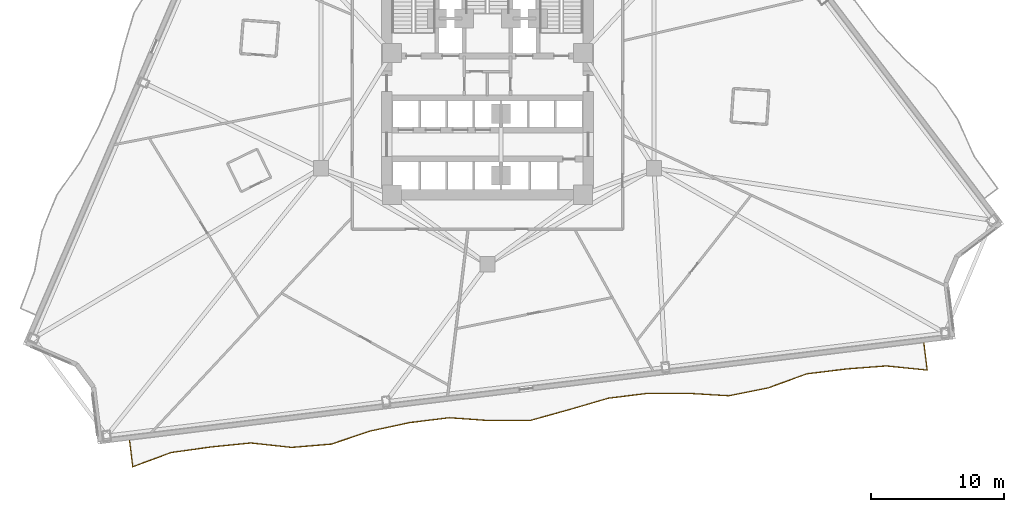
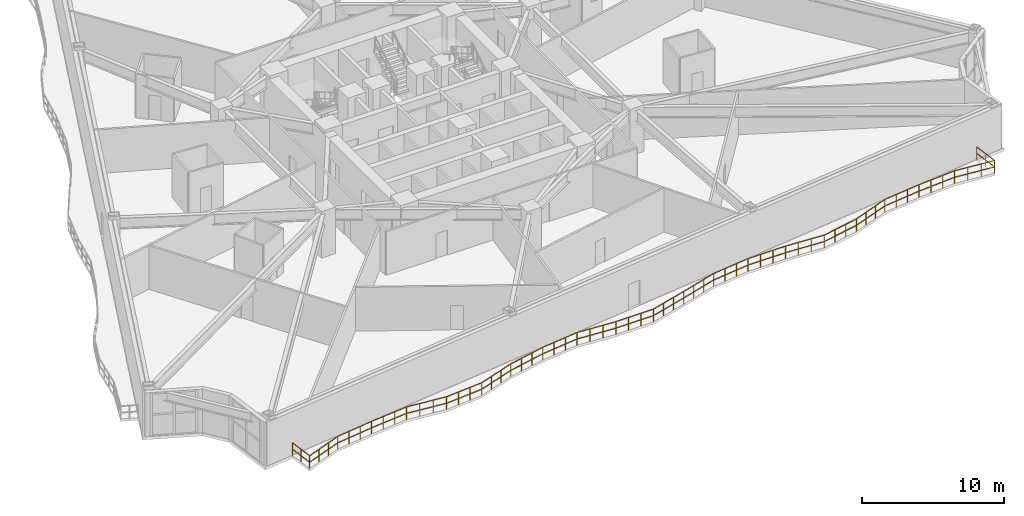
# One storey, part 13 of 17: 1 railing.
"""IFC4 building model written with IfcOpenShell, lengths in metres."""

from ifc_helpers import new_model, si_unit, direction, frame, origin, origin_2d, place, context, subcontext, project, spatial, rectangle, extrude, material, type_object, element, save


model = new_model("IFC4")

# Units and contexts
model_context = context("Model", 3, precision=1e-05, world=origin(), true_north=direction((0.0, 1.0)))
body_context = subcontext(model_context, "Body", "Model", "MODEL_VIEW")
ifc_project = project(units=[si_unit("LENGTHUNIT", "METRE"), si_unit("AREAUNIT", "SQUARE_METRE"), si_unit("VOLUMEUNIT", "CUBIC_METRE"), si_unit("PLANEANGLEUNIT", "RADIAN"), si_unit("MASSUNIT", "GRAM", prefix="KILO")], contexts=[model_context])

# Site, building, storey
site_placement = place(None, origin())
site = spatial("IfcSite", under=ifc_project, at=site_placement, CompositionType="ELEMENT")
building_placement = place(site_placement, origin())
building = spatial("IfcBuilding", under=site, at=building_placement, Name="Apsidion Concourse Tower", CompositionType="ELEMENT")
storey_placement = place(building_placement, frame((0.0, 0.0, 75.0)))
storey = spatial("IfcBuildingStorey", under=building, at=storey_placement, Name="L16", CompositionType="ELEMENT", Elevation=75.0)

# Railing
ifc_material = material(Name="Brushed stainless steel 316", Category="steel")
railing_type = type_object("IfcRailingType", Name="RL-BAL-1120", PredefinedType="BALUSTRADE", material=ifc_material)
railing_placement = place(storey_placement, frame((32.931640625, -20.427734375, 0.0)))
element("IfcRailing", 1, at=railing_placement, inside=storey, type_object=railing_type, Name="L16 Face 2 Rippling Balcony Balustrade", PredefinedType="BALUSTRADE", context=body_context, shape_type="SweptSolid", body=[
    extrude(rectangle(XDim=0.048095703125, YDim=0.048095703125, at=origin_2d()), frame((0.0, 0.0, 1.09619140625), z_axis=(0.121905537445, -0.992541706902, 0.0), x_axis=(0.992541706902, 0.121905537445, 0.0)), (0.0, 0.0, 1.0), 2.07470703125),
    extrude(rectangle(XDim=0.048095703125, YDim=0.048095703125, at=origin_2d()), frame((0.0, 0.0, 0.5361328125), z_axis=(0.121905537445, -0.992541706902, 0.0), x_axis=(0.992541706902, 0.121905537445, 0.0)), (0.0, 0.0, 1.0), 2.07470703125),
    extrude(rectangle(XDim=0.048095703125, YDim=0.048095703125, at=origin_2d()), frame((0.2529296875, -2.059326171875, 1.09619140625), z_axis=(-0.994972964621, 0.100143894838, 0.0), x_axis=(-0.100143894838, -0.994972964621, 0.0)), (0.0, 0.0, 1.0), 3.09619140625),
    extrude(rectangle(XDim=0.048095703125, YDim=0.048095703125, at=origin_2d()), frame((0.2529296875, -2.059326171875, 0.5361328125), z_axis=(-0.994972964621, 0.100143894838, 0.0), x_axis=(-0.100143894838, -0.994972964621, 0.0)), (0.0, 0.0, 1.0), 3.09619140625),
    extrude(rectangle(XDim=0.048095703125, YDim=0.048095703125, at=origin_2d()), frame((-2.82763671875, -1.749267578125, 1.09619140625), z_axis=(-0.997169264057, -0.075189486097, 0.0), x_axis=(0.075189486097, -0.997169264057, 0.0)), (0.0, 0.0, 1.0), 3.02294921875),
    extrude(rectangle(XDim=0.048095703125, YDim=0.048095703125, at=origin_2d()), frame((-2.82763671875, -1.749267578125, 0.5361328125), z_axis=(-0.997169264057, -0.075189486097, 0.0), x_axis=(0.075189486097, -0.997169264057, 0.0)), (0.0, 0.0, 1.0), 3.02294921875),
    extrude(rectangle(XDim=0.048095703125, YDim=0.048095703125, at=origin_2d()), frame((-5.842041015625, -1.9765625, 1.09619140625), z_axis=(-0.992539336111, -0.121924838616, 0.0), x_axis=(0.121924838616, -0.992539336111, 0.0)), (0.0, 0.0, 1.0), 3.01953125),
    extrude(rectangle(XDim=0.048095703125, YDim=0.048095703125, at=origin_2d()), frame((-5.842041015625, -1.9765625, 0.5361328125), z_axis=(-0.992539336111, -0.121924838616, 0.0), x_axis=(0.121924838616, -0.992539336111, 0.0)), (0.0, 0.0, 1.0), 3.01953125),
    extrude(rectangle(XDim=0.048095703125, YDim=0.048095703125, at=origin_2d()), frame((-8.839111328125, -2.3447265625, 1.09619140625), z_axis=(-0.939441065945, -0.34271049534, 0.0), x_axis=(0.34271049534, -0.939441065945, 0.0)), (0.0, 0.0, 1.0), 3.099609375),
    extrude(rectangle(XDim=0.048095703125, YDim=0.048095703125, at=origin_2d()), frame((-8.839111328125, -2.3447265625, 0.5361328125), z_axis=(-0.939441065945, -0.34271049534, 0.0), x_axis=(0.34271049534, -0.939441065945, 0.0)), (0.0, 0.0, 1.0), 3.099609375),
    extrude(rectangle(XDim=0.048095703125, YDim=0.048095703125, at=origin_2d()), frame((-11.7509765625, -3.406982421875, 1.09619140625), z_axis=(-0.980701424156, -0.195511423346, 0.0), x_axis=(0.195511423346, -0.980701424156, 0.0)), (0.0, 0.0, 1.0), 3.028076171875),
    extrude(rectangle(XDim=0.048095703125, YDim=0.048095703125, at=origin_2d()), frame((-11.7509765625, -3.406982421875, 0.5361328125), z_axis=(-0.980701424156, -0.195511423346, 0.0), x_axis=(0.195511423346, -0.980701424156, 0.0)), (0.0, 0.0, 1.0), 3.028076171875),
    extrude(rectangle(XDim=0.048095703125, YDim=0.048095703125, at=origin_2d()), frame((-14.720703125, -3.9990234375, 1.09619140625), z_axis=(-0.998224662797, 0.059561082804, 0.0), x_axis=(-0.059561082804, -0.998224662797, 0.0)), (0.0, 0.0, 1.0), 3.070068359375),
    extrude(rectangle(XDim=0.048095703125, YDim=0.048095703125, at=origin_2d()), frame((-14.720703125, -3.9990234375, 0.5361328125), z_axis=(-0.998224662797, 0.059561082804, 0.0), x_axis=(-0.059561082804, -0.998224662797, 0.0)), (0.0, 0.0, 1.0), 3.070068359375),
    extrude(rectangle(XDim=0.048095703125, YDim=0.048095703125, at=origin_2d()), frame((-17.785400390625, -3.816162109375, 1.09619140625), z_axis=(-0.99999998712, -0.00016050076, 0.0), x_axis=(0.00016050076, -0.99999998712, 0.0)), (0.0, 0.0, 1.0), 3.042236328125),
    extrude(rectangle(XDim=0.048095703125, YDim=0.048095703125, at=origin_2d()), frame((-17.785400390625, -3.816162109375, 0.5361328125), z_axis=(-0.99999998712, -0.00016050076, 0.0), x_axis=(0.00016050076, -0.99999998712, 0.0)), (0.0, 0.0, 1.0), 3.042236328125),
    extrude(rectangle(XDim=0.048095703125, YDim=0.048095703125, at=origin_2d()), frame((-20.82763671875, -3.816650390625, 1.09619140625), z_axis=(-0.992550317551, -0.121835409998, 0.0), x_axis=(0.121835409998, -0.992550317551, 0.0)), (0.0, 0.0, 1.0), 3.019775390625),
    extrude(rectangle(XDim=0.048095703125, YDim=0.048095703125, at=origin_2d()), frame((-20.82763671875, -3.816650390625, 0.5361328125), z_axis=(-0.992550317551, -0.121835409998, 0.0), x_axis=(0.121835409998, -0.992550317551, 0.0)), (0.0, 0.0, 1.0), 3.019775390625),
    extrude(rectangle(XDim=0.048095703125, YDim=0.048095703125, at=origin_2d()), frame((-23.824951171875, -4.1845703125, 1.09619140625), z_axis=(-0.959573578341, -0.281457896939, 0.0), x_axis=(0.281457896939, -0.959573578341, 0.0)), (0.0, 0.0, 1.0), 3.060302734375),
    extrude(rectangle(XDim=0.048095703125, YDim=0.048095703125, at=origin_2d()), frame((-23.824951171875, -4.1845703125, 0.5361328125), z_axis=(-0.959573578341, -0.281457896939, 0.0), x_axis=(0.281457896939, -0.959573578341, 0.0)), (0.0, 0.0, 1.0), 3.060302734375),
    extrude(rectangle(XDim=0.048095703125, YDim=0.048095703125, at=origin_2d()), frame((-26.761474609375, -5.0458984375, 1.09619140625), z_axis=(-0.963657533483, -0.267140708544, 0.0), x_axis=(0.267140708544, -0.963657533483, 0.0)), (0.0, 0.0, 1.0), 3.053466796875),
    extrude(rectangle(XDim=0.048095703125, YDim=0.048095703125, at=origin_2d()), frame((-26.761474609375, -5.0458984375, 0.5361328125), z_axis=(-0.963657533483, -0.267140708544, 0.0), x_axis=(0.267140708544, -0.963657533483, 0.0)), (0.0, 0.0, 1.0), 3.053466796875),
    extrude(rectangle(XDim=0.048095703125, YDim=0.048095703125, at=origin_2d()), frame((-29.703857421875, -5.861572265625, 1.09619140625), z_axis=(-0.999991616653, -0.00409470674, 0.0), x_axis=(0.00409470674, -0.999991616653, 0.0)), (0.0, 0.0, 1.0), 3.040771484375),
    extrude(rectangle(XDim=0.048095703125, YDim=0.048095703125, at=origin_2d()), frame((-29.703857421875, -5.861572265625, 0.5361328125), z_axis=(-0.999991616653, -0.00409470674, 0.0), x_axis=(0.00409470674, -0.999991616653, 0.0)), (0.0, 0.0, 1.0), 3.040771484375),
    extrude(rectangle(XDim=0.048095703125, YDim=0.048095703125, at=origin_2d()), frame((-32.74462890625, -5.8740234375, 1.09619140625), z_axis=(-0.99750281729, 0.070626691121, 0.0), x_axis=(-0.070626691121, -0.99750281729, 0.0)), (0.0, 0.0, 1.0), 3.076416015625),
    extrude(rectangle(XDim=0.048095703125, YDim=0.048095703125, at=origin_2d()), frame((-32.74462890625, -5.8740234375, 0.5361328125), z_axis=(-0.99750281729, 0.070626691121, 0.0), x_axis=(-0.070626691121, -0.99750281729, 0.0)), (0.0, 0.0, 1.0), 3.076416015625),
    extrude(rectangle(XDim=0.048095703125, YDim=0.048095703125, at=origin_2d()), frame((-35.8134765625, -5.65673828125, 1.09619140625), z_axis=(-0.992550317551, -0.121835409998, 0.0), x_axis=(0.121835409998, -0.992550317551, 0.0)), (0.0, 0.0, 1.0), 3.019775390625),
    extrude(rectangle(XDim=0.048095703125, YDim=0.048095703125, at=origin_2d()), frame((-35.8134765625, -5.65673828125, 0.5361328125), z_axis=(-0.992550317551, -0.121835409998, 0.0), x_axis=(0.121835409998, -0.992550317551, 0.0)), (0.0, 0.0, 1.0), 3.019775390625),
    extrude(rectangle(XDim=0.048095703125, YDim=0.048095703125, at=origin_2d()), frame((-38.810791015625, -6.024658203125, 1.09619140625), z_axis=(-0.977750533046, -0.209771054076, 0.0), x_axis=(0.209771054076, -0.977750533046, 0.0)), (0.0, 0.0, 1.0), 3.03173828125),
    extrude(rectangle(XDim=0.048095703125, YDim=0.048095703125, at=origin_2d()), frame((-38.810791015625, -6.024658203125, 0.5361328125), z_axis=(-0.977750533046, -0.209771054076, 0.0), x_axis=(0.209771054076, -0.977750533046, 0.0)), (0.0, 0.0, 1.0), 3.03173828125),
    extrude(rectangle(XDim=0.048095703125, YDim=0.048095703125, at=origin_2d()), frame((-41.775146484375, -6.66064453125, 1.09619140625), z_axis=(-0.947696654134, -0.319172448283, 0.0), x_axis=(0.319172448283, -0.947696654134, 0.0)), (0.0, 0.0, 1.0), 3.08251953125),
    extrude(rectangle(XDim=0.048095703125, YDim=0.048095703125, at=origin_2d()), frame((-41.775146484375, -6.66064453125, 0.5361328125), z_axis=(-0.947696654134, -0.319172448283, 0.0), x_axis=(0.319172448283, -0.947696654134, 0.0)), (0.0, 0.0, 1.0), 3.08251953125),
    extrude(rectangle(XDim=0.048095703125, YDim=0.048095703125, at=origin_2d()), frame((-44.696533203125, -7.64453125, 1.09619140625), z_axis=(-0.996518403666, -0.083373084117, 0.0), x_axis=(0.083373084117, -0.996518403666, 0.0)), (0.0, 0.0, 1.0), 3.02197265625),
    extrude(rectangle(XDim=0.048095703125, YDim=0.048095703125, at=origin_2d()), frame((-44.696533203125, -7.64453125, 0.5361328125), z_axis=(-0.996518403666, -0.083373084117, 0.0), x_axis=(0.083373084117, -0.996518403666, 0.0)), (0.0, 0.0, 1.0), 3.02197265625),
    extrude(rectangle(XDim=0.048095703125, YDim=0.048095703125, at=origin_2d()), frame((-47.7080078125, -7.896484375, 1.09619140625), z_axis=(-0.994142992397, 0.1080727101, 0.0), x_axis=(-0.1080727101, -0.994142992397, 0.0)), (0.0, 0.0, 1.0), 3.1015625),
    extrude(rectangle(XDim=0.048095703125, YDim=0.048095703125, at=origin_2d()), frame((-47.7080078125, -7.896484375, 0.5361328125), z_axis=(-0.994142992397, 0.1080727101, 0.0), x_axis=(-0.1080727101, -0.994142992397, 0.0)), (0.0, 0.0, 1.0), 3.1015625),
    extrude(rectangle(XDim=0.048095703125, YDim=0.048095703125, at=origin_2d()), frame((-50.79150390625, -7.561279296875, 1.09619140625), z_axis=(-0.994939882735, -0.100472034628, 0.0), x_axis=(0.100472034628, -0.994939882735, 0.0)), (0.0, 0.0, 1.0), 3.0205078125),
    extrude(rectangle(XDim=0.048095703125, YDim=0.048095703125, at=origin_2d()), frame((-50.79150390625, -7.561279296875, 0.5361328125), z_axis=(-0.994939882735, -0.100472034628, 0.0), x_axis=(0.100472034628, -0.994939882735, 0.0)), (0.0, 0.0, 1.0), 3.0205078125),
    extrude(rectangle(XDim=0.048095703125, YDim=0.048095703125, at=origin_2d()), frame((-53.796630859375, -7.86474609375, 1.09619140625), z_axis=(-0.990545135118, -0.137187227152, 0.0), x_axis=(0.137187227152, -0.990545135118, 0.0)), (0.0, 0.0, 1.0), 3.02001953125),
    extrude(rectangle(XDim=0.048095703125, YDim=0.048095703125, at=origin_2d()), frame((-53.796630859375, -7.86474609375, 0.5361328125), z_axis=(-0.990545135118, -0.137187227152, 0.0), x_axis=(0.137187227152, -0.990545135118, 0.0)), (0.0, 0.0, 1.0), 3.02001953125),
    extrude(rectangle(XDim=0.048095703125, YDim=0.048095703125, at=origin_2d()), frame((-56.7880859375, -8.279052734375, 1.09619140625), z_axis=(-0.937974473252, -0.346704322915, 0.0), x_axis=(0.346704322915, -0.937974473252, 0.0)), (0.0, 0.0, 1.0), 3.1025390625),
    extrude(rectangle(XDim=0.048095703125, YDim=0.048095703125, at=origin_2d()), frame((-56.7880859375, -8.279052734375, 0.5361328125), z_axis=(-0.937974473252, -0.346704322915, 0.0), x_axis=(0.346704322915, -0.937974473252, 0.0)), (0.0, 0.0, 1.0), 3.1025390625),
    extrude(rectangle(XDim=0.048095703125, YDim=0.048095703125, at=origin_2d()), frame((-59.6982421875, -9.354736328125, 1.09619140625), z_axis=(-0.121956382638, 0.992535460693, 0.0), x_axis=(-0.992535460693, -0.121956382638, 0.0)), (0.0, 0.0, 1.0), 2.009765625),
    extrude(rectangle(XDim=0.048095703125, YDim=0.048095703125, at=origin_2d()), frame((-59.6982421875, -9.354736328125, 0.5361328125), z_axis=(-0.121956382638, 0.992535460693, 0.0), x_axis=(-0.992535460693, -0.121956382638, 0.0)), (0.0, 0.0, 1.0), 2.009765625),
    extrude(rectangle(XDim=0.0419921875, YDim=0.0419921875, at=origin_2d()), origin(), (0.0, 0.0, 1.0), 1.072021484375),
    extrude(rectangle(XDim=0.0419921875, YDim=0.0419921875, at=origin_2d()), frame((0.12646484375, -1.02978515625, 0.0)), (0.0, 0.0, 1.0), 1.072021484375),
    extrude(rectangle(XDim=0.0419921875, YDim=0.0419921875, at=origin_2d()), frame((0.2529296875, -2.059326171875, 0.0)), (0.0, 0.0, 1.0), 1.072021484375),
    extrude(rectangle(XDim=0.0419921875, YDim=0.0419921875, at=origin_2d()), frame((-0.77392578125, -1.9560546875, 0.0)), (0.0, 0.0, 1.0), 1.072021484375),
    extrude(rectangle(XDim=0.0419921875, YDim=0.0419921875, at=origin_2d()), frame((-1.80078125, -1.8525390625, 0.0)), (0.0, 0.0, 1.0), 1.072021484375),
    extrude(rectangle(XDim=0.0419921875, YDim=0.0419921875, at=origin_2d()), frame((-2.82763671875, -1.749267578125, 0.0)), (0.0, 0.0, 1.0), 1.072021484375),
    extrude(rectangle(XDim=0.0419921875, YDim=0.0419921875, at=origin_2d()), frame((-3.83251953125, -1.824951171875, 0.0)), (0.0, 0.0, 1.0), 1.072021484375),
    extrude(rectangle(XDim=0.0419921875, YDim=0.0419921875, at=origin_2d()), frame((-4.837158203125, -1.90087890625, 0.0)), (0.0, 0.0, 1.0), 1.072021484375),
    extrude(rectangle(XDim=0.0419921875, YDim=0.0419921875, at=origin_2d()), frame((-5.842041015625, -1.9765625, 0.0)), (0.0, 0.0, 1.0), 1.072021484375),
    extrude(rectangle(XDim=0.0419921875, YDim=0.0419921875, at=origin_2d()), frame((-6.841064453125, -2.099365234375, 0.0)), (0.0, 0.0, 1.0), 1.072021484375),
    extrude(rectangle(XDim=0.0419921875, YDim=0.0419921875, at=origin_2d()), frame((-7.840087890625, -2.221923828125, 0.0)), (0.0, 0.0, 1.0), 1.072021484375),
    extrude(rectangle(XDim=0.0419921875, YDim=0.0419921875, at=origin_2d()), frame((-8.839111328125, -2.3447265625, 0.0)), (0.0, 0.0, 1.0), 1.072021484375),
    extrude(rectangle(XDim=0.0419921875, YDim=0.0419921875, at=origin_2d()), frame((-9.809814453125, -2.69873046875, 0.0)), (0.0, 0.0, 1.0), 1.072021484375),
    extrude(rectangle(XDim=0.0419921875, YDim=0.0419921875, at=origin_2d()), frame((-10.7802734375, -3.052978515625, 0.0)), (0.0, 0.0, 1.0), 1.072021484375),
    extrude(rectangle(XDim=0.0419921875, YDim=0.0419921875, at=origin_2d()), frame((-11.7509765625, -3.406982421875, 0.0)), (0.0, 0.0, 1.0), 1.072021484375),
    extrude(rectangle(XDim=0.0419921875, YDim=0.0419921875, at=origin_2d()), frame((-12.740966796875, -3.604248046875, 0.0)), (0.0, 0.0, 1.0), 1.072021484375),
    extrude(rectangle(XDim=0.0419921875, YDim=0.0419921875, at=origin_2d()), frame((-13.730712890625, -3.8017578125, 0.0)), (0.0, 0.0, 1.0), 1.072021484375),
    extrude(rectangle(XDim=0.0419921875, YDim=0.0419921875, at=origin_2d()), frame((-14.720703125, -3.9990234375, 0.0)), (0.0, 0.0, 1.0), 1.072021484375),
    extrude(rectangle(XDim=0.0419921875, YDim=0.0419921875, at=origin_2d()), frame((-15.7421875, -3.93798828125, 0.0)), (0.0, 0.0, 1.0), 1.072021484375),
    extrude(rectangle(XDim=0.0419921875, YDim=0.0419921875, at=origin_2d()), frame((-16.763916015625, -3.877197265625, 0.0)), (0.0, 0.0, 1.0), 1.072021484375),
    extrude(rectangle(XDim=0.0419921875, YDim=0.0419921875, at=origin_2d()), frame((-17.785400390625, -3.816162109375, 0.0)), (0.0, 0.0, 1.0), 1.072021484375),
    extrude(rectangle(XDim=0.0419921875, YDim=0.0419921875, at=origin_2d()), frame((-18.799560546875, -3.81640625, 0.0)), (0.0, 0.0, 1.0), 1.072021484375),
    extrude(rectangle(XDim=0.0419921875, YDim=0.0419921875, at=origin_2d()), frame((-19.8134765625, -3.81640625, 0.0)), (0.0, 0.0, 1.0), 1.072021484375),
    extrude(rectangle(XDim=0.0419921875, YDim=0.0419921875, at=origin_2d()), frame((-20.82763671875, -3.816650390625, 0.0)), (0.0, 0.0, 1.0), 1.072021484375),
    extrude(rectangle(XDim=0.0419921875, YDim=0.0419921875, at=origin_2d()), frame((-21.82666015625, -3.939208984375, 0.0)), (0.0, 0.0, 1.0), 1.072021484375),
    extrude(rectangle(XDim=0.0419921875, YDim=0.0419921875, at=origin_2d()), frame((-22.825927734375, -4.06201171875, 0.0)), (0.0, 0.0, 1.0), 1.072021484375),
    extrude(rectangle(XDim=0.0419921875, YDim=0.0419921875, at=origin_2d()), frame((-23.824951171875, -4.1845703125, 0.0)), (0.0, 0.0, 1.0), 1.072021484375),
    extrude(rectangle(XDim=0.0419921875, YDim=0.0419921875, at=origin_2d()), frame((-24.8037109375, -4.4716796875, 0.0)), (0.0, 0.0, 1.0), 1.072021484375),
    extrude(rectangle(XDim=0.0419921875, YDim=0.0419921875, at=origin_2d()), frame((-25.78271484375, -4.7587890625, 0.0)), (0.0, 0.0, 1.0), 1.072021484375),
    extrude(rectangle(XDim=0.0419921875, YDim=0.0419921875, at=origin_2d()), frame((-26.761474609375, -5.0458984375, 0.0)), (0.0, 0.0, 1.0), 1.072021484375),
    extrude(rectangle(XDim=0.0419921875, YDim=0.0419921875, at=origin_2d()), frame((-27.7421875, -5.31787109375, 0.0)), (0.0, 0.0, 1.0), 1.072021484375),
    extrude(rectangle(XDim=0.0419921875, YDim=0.0419921875, at=origin_2d()), frame((-28.72314453125, -5.589599609375, 0.0)), (0.0, 0.0, 1.0), 1.072021484375),
    extrude(rectangle(XDim=0.0419921875, YDim=0.0419921875, at=origin_2d()), frame((-29.703857421875, -5.861572265625, 0.0)), (0.0, 0.0, 1.0), 1.072021484375),
    extrude(rectangle(XDim=0.0419921875, YDim=0.0419921875, at=origin_2d()), frame((-30.717529296875, -5.86572265625, 0.0)), (0.0, 0.0, 1.0), 1.072021484375),
    extrude(rectangle(XDim=0.0419921875, YDim=0.0419921875, at=origin_2d()), frame((-31.73095703125, -5.869873046875, 0.0)), (0.0, 0.0, 1.0), 1.072021484375),
    extrude(rectangle(XDim=0.0419921875, YDim=0.0419921875, at=origin_2d()), frame((-32.74462890625, -5.8740234375, 0.0)), (0.0, 0.0, 1.0), 1.072021484375),
    extrude(rectangle(XDim=0.0419921875, YDim=0.0419921875, at=origin_2d()), frame((-33.767578125, -5.801513671875, 0.0)), (0.0, 0.0, 1.0), 1.072021484375),
    extrude(rectangle(XDim=0.0419921875, YDim=0.0419921875, at=origin_2d()), frame((-34.79052734375, -5.729248046875, 0.0)), (0.0, 0.0, 1.0), 1.072021484375),
    extrude(rectangle(XDim=0.0419921875, YDim=0.0419921875, at=origin_2d()), frame((-35.8134765625, -5.65673828125, 0.0)), (0.0, 0.0, 1.0), 1.072021484375),
    extrude(rectangle(XDim=0.0419921875, YDim=0.0419921875, at=origin_2d()), frame((-36.8125, -5.779296875, 0.0)), (0.0, 0.0, 1.0), 1.072021484375),
    extrude(rectangle(XDim=0.0419921875, YDim=0.0419921875, at=origin_2d()), frame((-37.811767578125, -5.902099609375, 0.0)), (0.0, 0.0, 1.0), 1.072021484375),
    extrude(rectangle(XDim=0.0419921875, YDim=0.0419921875, at=origin_2d()), frame((-38.810791015625, -6.024658203125, 0.0)), (0.0, 0.0, 1.0), 1.072021484375),
    extrude(rectangle(XDim=0.0419921875, YDim=0.0419921875, at=origin_2d()), frame((-39.798828125, -6.236572265625, 0.0)), (0.0, 0.0, 1.0), 1.072021484375),
    extrude(rectangle(XDim=0.0419921875, YDim=0.0419921875, at=origin_2d()), frame((-40.787109375, -6.44873046875, 0.0)), (0.0, 0.0, 1.0), 1.072021484375),
    extrude(rectangle(XDim=0.0419921875, YDim=0.0419921875, at=origin_2d()), frame((-41.775146484375, -6.66064453125, 0.0)), (0.0, 0.0, 1.0), 1.072021484375),
    extrude(rectangle(XDim=0.0419921875, YDim=0.0419921875, at=origin_2d()), frame((-42.7490234375, -6.988525390625, 0.0)), (0.0, 0.0, 1.0), 1.072021484375),
    extrude(rectangle(XDim=0.0419921875, YDim=0.0419921875, at=origin_2d()), frame((-43.72265625, -7.316650390625, 0.0)), (0.0, 0.0, 1.0), 1.072021484375),
    extrude(rectangle(XDim=0.0419921875, YDim=0.0419921875, at=origin_2d()), frame((-44.696533203125, -7.64453125, 0.0)), (0.0, 0.0, 1.0), 1.072021484375),
    extrude(rectangle(XDim=0.0419921875, YDim=0.0419921875, at=origin_2d()), frame((-45.700439453125, -7.728515625, 0.0)), (0.0, 0.0, 1.0), 1.072021484375),
    extrude(rectangle(XDim=0.0419921875, YDim=0.0419921875, at=origin_2d()), frame((-46.7041015625, -7.8125, 0.0)), (0.0, 0.0, 1.0), 1.072021484375),
    extrude(rectangle(XDim=0.0419921875, YDim=0.0419921875, at=origin_2d()), frame((-47.7080078125, -7.896484375, 0.0)), (0.0, 0.0, 1.0), 1.072021484375),
    extrude(rectangle(XDim=0.0419921875, YDim=0.0419921875, at=origin_2d()), frame((-48.73583984375, -7.78466796875, 0.0)), (0.0, 0.0, 1.0), 1.072021484375),
    extrude(rectangle(XDim=0.0419921875, YDim=0.0419921875, at=origin_2d()), frame((-49.763671875, -7.673095703125, 0.0)), (0.0, 0.0, 1.0), 1.072021484375),
    extrude(rectangle(XDim=0.0419921875, YDim=0.0419921875, at=origin_2d()), frame((-50.79150390625, -7.561279296875, 0.0)), (0.0, 0.0, 1.0), 1.072021484375),
    extrude(rectangle(XDim=0.0419921875, YDim=0.0419921875, at=origin_2d()), frame((-51.793212890625, -7.662353515625, 0.0)), (0.0, 0.0, 1.0), 1.072021484375),
    extrude(rectangle(XDim=0.0419921875, YDim=0.0419921875, at=origin_2d()), frame((-52.794921875, -7.763671875, 0.0)), (0.0, 0.0, 1.0), 1.072021484375),
    extrude(rectangle(XDim=0.0419921875, YDim=0.0419921875, at=origin_2d()), frame((-53.796630859375, -7.86474609375, 0.0)), (0.0, 0.0, 1.0), 1.072021484375),
    extrude(rectangle(XDim=0.0419921875, YDim=0.0419921875, at=origin_2d()), frame((-54.793701171875, -8.0029296875, 0.0)), (0.0, 0.0, 1.0), 1.072021484375),
    extrude(rectangle(XDim=0.0419921875, YDim=0.0419921875, at=origin_2d()), frame((-55.791015625, -8.140869140625, 0.0)), (0.0, 0.0, 1.0), 1.072021484375),
    extrude(rectangle(XDim=0.0419921875, YDim=0.0419921875, at=origin_2d()), frame((-56.7880859375, -8.279052734375, 0.0)), (0.0, 0.0, 1.0), 1.072021484375),
    extrude(rectangle(XDim=0.0419921875, YDim=0.0419921875, at=origin_2d()), frame((-57.758056640625, -8.6376953125, 0.0)), (0.0, 0.0, 1.0), 1.072021484375),
    extrude(rectangle(XDim=0.0419921875, YDim=0.0419921875, at=origin_2d()), frame((-58.728271484375, -8.99609375, 0.0)), (0.0, 0.0, 1.0), 1.072021484375),
    extrude(rectangle(XDim=0.0419921875, YDim=0.0419921875, at=origin_2d()), frame((-59.6982421875, -9.354736328125, 0.0)), (0.0, 0.0, 1.0), 1.072021484375),
    extrude(rectangle(XDim=0.0419921875, YDim=0.0419921875, at=origin_2d()), frame((-59.82080078125, -8.357421875, 0.0)), (0.0, 0.0, 1.0), 1.072021484375),
    extrude(rectangle(XDim=0.0419921875, YDim=0.0419921875, at=origin_2d()), frame((-59.943359375, -7.35986328125, 0.0)), (0.0, 0.0, 1.0), 1.072021484375),
])

save(model, "model.ifc")
